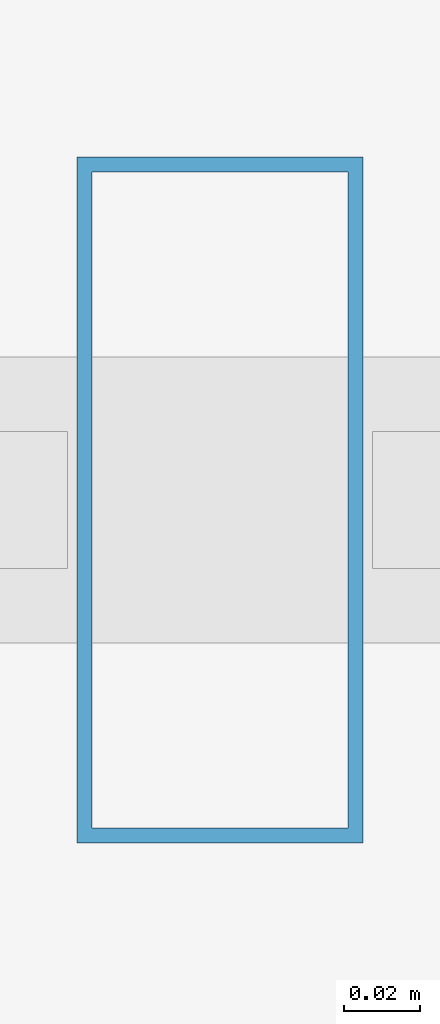
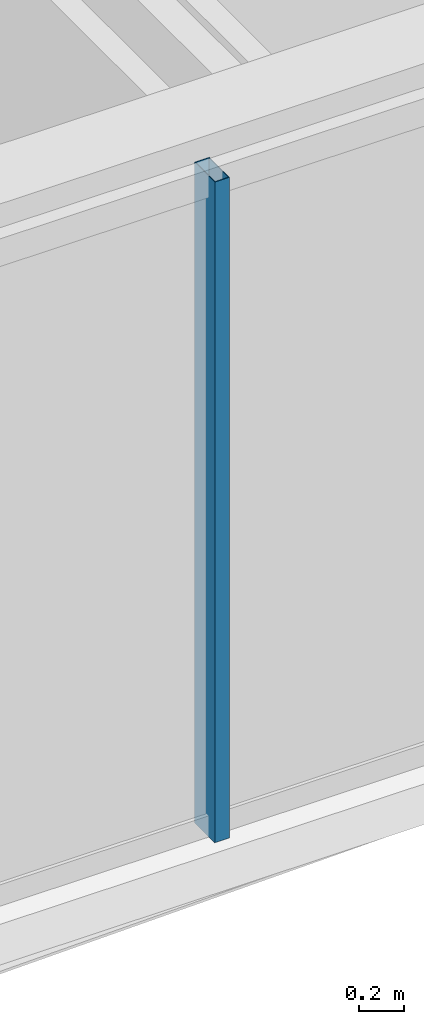
# One storey, part 9 of 33: 1 member, 1 element without a shape of its own.
"""IFC4 building model written with IfcOpenShell, lengths in metres."""

from ifc_helpers import new_model, si_unit, direction, frame, origin, origin_2d, place, context, subcontext, project, spatial, hollow_rectangle, extrude, material, layer, layer_set, material_profile, profile_set, type_object, element, aggregate, save


model = new_model("IFC4")

# Units and contexts
model_context = context("Model", 3, precision=1e-05, world=origin(), true_north=direction((0.0, 1.0)))
body_context = subcontext(model_context, "Body", "Model", "MODEL_VIEW")
ifc_project = project(units=[si_unit("LENGTHUNIT", "METRE"), si_unit("AREAUNIT", "SQUARE_METRE"), si_unit("VOLUMEUNIT", "CUBIC_METRE"), si_unit("PLANEANGLEUNIT", "RADIAN"), si_unit("MASSUNIT", "GRAM", prefix="KILO")], contexts=[model_context])

# Site, building, storey
site_placement = place(None, origin())
site = spatial("IfcSite", under=ifc_project, at=site_placement, CompositionType="ELEMENT")
building_placement = place(site_placement, origin())
building = spatial("IfcBuilding", under=site, at=building_placement, Name="Ndaravel Arena Tower", CompositionType="ELEMENT")
storey_placement = place(building_placement, frame((0.0, 0.0, 168.800048828125)))
storey = spatial("IfcBuildingStorey", under=building, at=storey_placement, Name="L40", CompositionType="ELEMENT", Elevation=168.800048828125)

# Curtain wall, member
ifc_material_1 = material(Name="Aluminium", Category="aluminium")
ifc_layer = layer(ifc_material_1, 0.179931640625)
ifc_layer_set = layer_set([ifc_layer], Name="Aluminium")
curtain_wall_type = type_object("IfcCurtainWallType", Name="CW-SYS-03", PredefinedType="NOTDEFINED", material=ifc_layer_set)
curtain_wall_placement = place(storey_placement, origin())
curtain_wall = element("IfcCurtainWall", 1, at=curtain_wall_placement, inside=storey, type_object=curtain_wall_type, Name="L40 Faceted Crystal Curtain Wall CW-L40-E01", PredefinedType="NOTDEFINED")
ifc_material_2 = material(Name="Aluminium", Category="aluminium")
ifc_material_profile = material_profile(ifc_material_2, hollow_rectangle(XDim=0.074951171875, YDim=0.179931640625, WallThickness=0.00390625, at=origin_2d()), Name="CW MULLION 75x180x4")
ifc_profile_set = profile_set([ifc_material_profile], Name="Aluminium")
member_type = type_object("IfcMemberType", Name="MEM-CW-MUL180", PredefinedType="MULLION", material=ifc_profile_set)
member_placement = place(storey_placement, frame((46.59765625, 5.159912109375, 0.0), z_axis=(0.0, 0.0, 1.0), x_axis=(1.0, 0.0, 0.0)))
member = element("IfcMember", 2, at=member_placement, type_object=member_type, Name="CW-L40-E01 Mullion 05", PredefinedType="MULLION", context=body_context, shape_type="SweptSolid", body=[
    extrude(hollow_rectangle(XDim=0.074951171875, YDim=0.179931640625, WallThickness=0.00390625, at=origin_2d()), origin(), (0.0, 0.0, 1.0), 3.579833984375),
])
aggregate(curtain_wall, [member])

save(model, "model.ifc")
